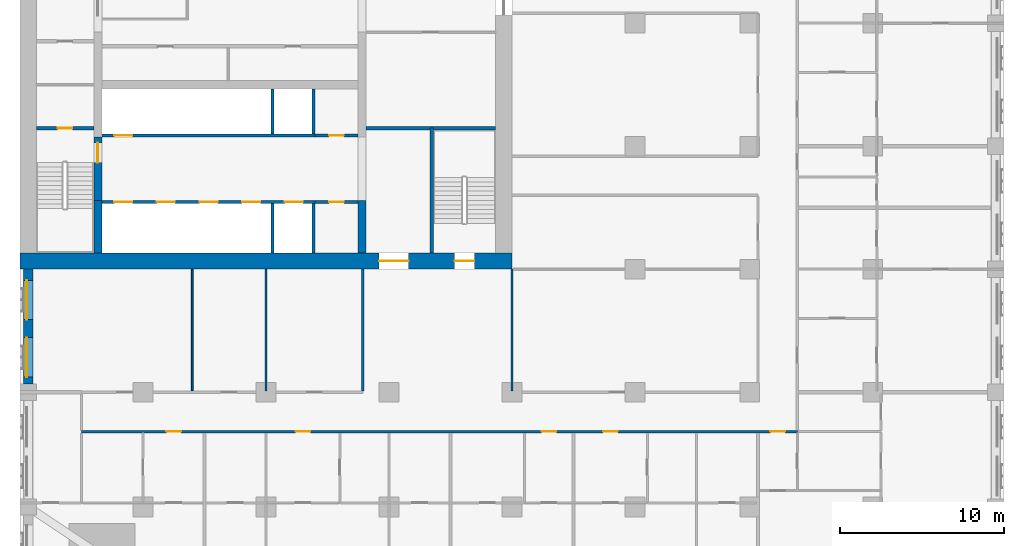
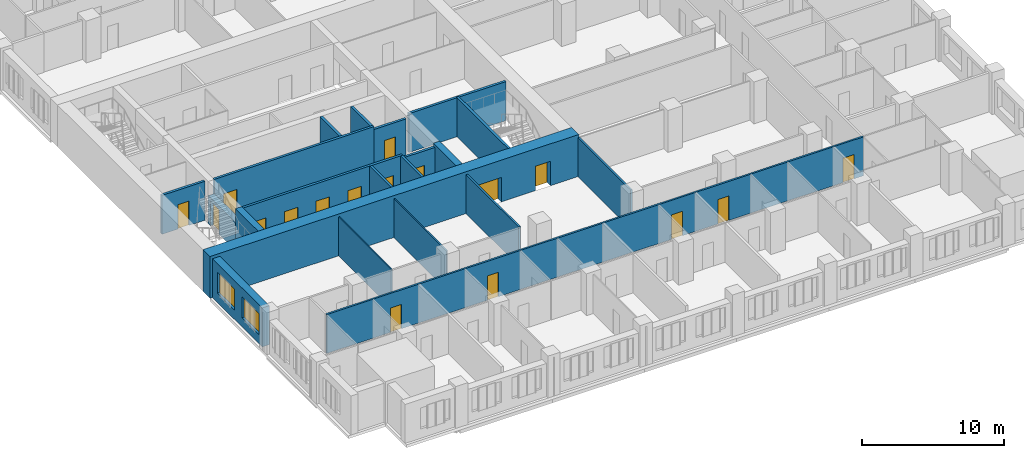
# One storey, part 5 of 14: 21 walls, 17 doors, 2 windows, 19 openings.
"""IFC4 building model written with IfcOpenShell, lengths in metres."""

from ifc_helpers import new_model, si_unit, direction, frame, frame_2d, origin, place, context, subcontext, project, spatial, rectangle, extrude, material, layer, layer_set, type_object, element, fill, save


model = new_model("IFC4")

# Units and contexts
model_context = context("Model", 3, precision=1e-05, world=origin(), true_north=direction((0.0, 1.0)))
body_context = subcontext(model_context, "Body", "Model", "MODEL_VIEW")
ifc_project = project(units=[si_unit("LENGTHUNIT", "METRE"), si_unit("AREAUNIT", "SQUARE_METRE"), si_unit("VOLUMEUNIT", "CUBIC_METRE"), si_unit("PLANEANGLEUNIT", "RADIAN"), si_unit("MASSUNIT", "GRAM", prefix="KILO")], contexts=[model_context])

# Site, building, storey
site_placement = place(None, origin())
site = spatial("IfcSite", under=ifc_project, at=site_placement, CompositionType="ELEMENT")
building_placement = place(site_placement, origin())
building = spatial("IfcBuilding", under=site, at=building_placement, Name="Tamorin Gate", CompositionType="ELEMENT")
storey_placement = place(building_placement, frame((0.0, 0.0, 55.60009765625)))
storey = spatial("IfcBuildingStorey", under=building, at=storey_placement, Name="L12", CompositionType="ELEMENT", Elevation=55.60009765625)

# Wall, openings, windows
ifc_material_1 = material(Name="Precast concrete C40/50", Category="concrete")
ifc_layer_1 = layer(ifc_material_1, 0.60009765625)
ifc_layer_set_1 = layer_set([ifc_layer_1], Name="Precast concrete C40/50")
wall_type_1 = type_object("IfcWallType", Name="Board-marked concrete facade panel 600", PredefinedType="SOLIDWALL", material=ifc_layer_set_1)
wall_1_placement = place(storey_placement, frame((30.5, 60.0, 0.0), z_axis=(0.0, 0.0, 1.0), x_axis=(0.0, -1.0, 0.0)))
wall_1 = element("IfcWall", 1, at=wall_1_placement, inside=storey, type_object=wall_type_1, Name="Facade panel", PredefinedType="SOLIDWALL", context=body_context, shape_type="SweptSolid", body=[
    extrude(rectangle(XDim=7.0, YDim=0.60009765625, at=frame_2d((3.5, 0.0))), origin(), (0.0, 0.0, 1.0), 3.349853515625),
])
opening_1_placement = place(wall_1_placement, frame((4.175048828125, 0.0, 0.800048828125)))
opening_1 = element("IfcOpeningElement", 2, at=opening_1_placement, cuts=wall_1, Name="Opening WN1", PredefinedType="OPENING", context=body_context, shape_type="SweptSolid", body=[
    extrude(rectangle(XDim=2.39990234375, YDim=1.800048828125, at=frame_2d((1.199951171875, 0.89990234375))), frame((0.0, 0.31005859375, 0.0), z_axis=(0.0, -1.0, 0.0), x_axis=(1.0, 0.0, 0.0)), (0.0, 0.0, 1.0), 0.6201171875),
])
opening_2_placement = place(wall_1_placement, frame((0.675048828125, 0.0, 0.800048828125)))
opening_2 = element("IfcOpeningElement", 3, at=opening_2_placement, cuts=wall_1, Name="Opening WN1", PredefinedType="OPENING", context=body_context, shape_type="SweptSolid", body=[
    extrude(rectangle(XDim=2.39990234375, YDim=1.800048828125, at=frame_2d((1.199951171875, 0.89990234375))), frame((0.0, 0.31005859375, 0.0), z_axis=(0.0, -1.0, 0.0), x_axis=(1.0, 0.0, 0.0)), (0.0, 0.0, 1.0), 0.6201171875),
])
ifc_material_2 = material(Name="Clear glass in aluminium frame", Category="aluminium")
window_type = type_object("IfcWindowType", Name="Deep-set window 2400x1800", PartitioningType="SINGLE_PANEL", PredefinedType="WINDOW", material=ifc_material_2)
window_1_placement = place(opening_1_placement, origin())
window_1 = element("IfcWindow", 4, at=window_1_placement, inside=storey, type_object=window_type, Name="Deep-set window", OverallHeight=1.800048828125, OverallWidth=2.39990234375, PartitioningType="SINGLE_PANEL", PredefinedType="WINDOW", context=body_context, shape_type="SweptSolid", body=[
    extrude(rectangle(XDim=2.39990234375, YDim=1.800048828125, at=frame_2d((1.199951171875, 0.89990234375))), frame((0.0, -0.070068359375, 0.0), z_axis=(0.0, -1.0, 0.0), x_axis=(1.0, 0.0, 0.0)), (0.0, 0.0, 1.0), 0.06005859375),
])
fill(opening_1, window_1)
window_2_placement = place(opening_2_placement, origin())
window_2 = element("IfcWindow", 5, at=window_2_placement, inside=storey, type_object=window_type, Name="Deep-set window", OverallHeight=1.800048828125, OverallWidth=2.39990234375, PartitioningType="SINGLE_PANEL", PredefinedType="WINDOW", context=body_context, shape_type="SweptSolid", body=[
    extrude(rectangle(XDim=2.39990234375, YDim=1.800048828125, at=frame_2d((1.199951171875, 0.89990234375))), frame((0.0, -0.070068359375, 0.0), z_axis=(0.0, -1.0, 0.0), x_axis=(1.0, 0.0, 0.0)), (0.0, 0.0, 1.0), 0.06005859375),
])
fill(opening_2, window_2)

# Wall, openings, doors
ifc_material_3 = material(Name="Gypsum board partition")
ifc_layer_2 = layer(ifc_material_3, 0.14990234375)
ifc_layer_set_2 = layer_set([ifc_layer_2], Name="Corridor wall 150")
wall_type_2 = type_object("IfcWallType", Name="Corridor wall 150", PredefinedType="PARTITIONING", material=ifc_layer_set_2)
wall_2_placement = place(storey_placement, frame((33.75, 50.10009765625, 0.0), z_axis=(0.0, 0.0, 1.0), x_axis=(1.0, 0.0, 0.0)))
wall_2 = element("IfcWall", 6, at=wall_2_placement, inside=storey, type_object=wall_type_2, Name="Corridor wall 150", PredefinedType="PARTITIONING", context=body_context, shape_type="SweptSolid", body=[
    extrude(rectangle(XDim=43.64990234375, YDim=0.14990234375, at=frame_2d((21.824951171875, 0.0))), origin(), (0.0, 0.0, 1.0), 3.349853515625),
])
opening_3_placement = place(wall_2_placement, frame((5.175048828125, 0.0, 0.0)))
opening_3 = element("IfcOpeningElement", 7, at=opening_3_placement, cuts=wall_2, Name="Opening DH3003", PredefinedType="OPENING", context=body_context, shape_type="SweptSolid", body=[
    extrude(rectangle(XDim=0.89990234375, YDim=2.10009765625, at=frame_2d((0.449951171875, 1.050048828125))), frame((0.0, 0.0849609375, 0.0), z_axis=(0.0, -1.0, 0.0), x_axis=(1.0, 0.0, 0.0)), (0.0, 0.0, 1.0), 0.169921875),
])
opening_4_placement = place(wall_2_placement, frame((13.050048828125, 0.0, 0.0)))
opening_4 = element("IfcOpeningElement", 8, at=opening_4_placement, cuts=wall_2, Name="Opening DH3006", PredefinedType="OPENING", context=body_context, shape_type="SweptSolid", body=[
    extrude(rectangle(XDim=0.89990234375, YDim=2.10009765625, at=frame_2d((0.449951171875, 1.050048828125))), frame((0.0, 0.0849609375, 0.0), z_axis=(0.0, -1.0, 0.0), x_axis=(1.0, 0.0, 0.0)), (0.0, 0.0, 1.0), 0.169921875),
])
opening_5_placement = place(wall_2_placement, frame((28.050048828125, 0.0, 0.0)))
opening_5 = element("IfcOpeningElement", 9, at=opening_5_placement, cuts=wall_2, Name="Opening DH3013", PredefinedType="OPENING", context=body_context, shape_type="SweptSolid", body=[
    extrude(rectangle(XDim=0.89990234375, YDim=2.10009765625, at=frame_2d((0.449951171875, 1.050048828125))), frame((0.0, 0.0849609375, 0.0), z_axis=(0.0, -1.0, 0.0), x_axis=(1.0, 0.0, 0.0)), (0.0, 0.0, 1.0), 0.169921875),
])
opening_6_placement = place(wall_2_placement, frame((31.800048828125, 0.0, 0.0)))
opening_6 = element("IfcOpeningElement", 10, at=opening_6_placement, cuts=wall_2, Name="Opening DH3015", PredefinedType="OPENING", context=body_context, shape_type="SweptSolid", body=[
    extrude(rectangle(XDim=0.89990234375, YDim=2.10009765625, at=frame_2d((0.449951171875, 1.050048828125))), frame((0.0, 0.0849609375, 0.0), z_axis=(0.0, -1.0, 0.0), x_axis=(1.0, 0.0, 0.0)), (0.0, 0.0, 1.0), 0.169921875),
])
opening_7_placement = place(wall_2_placement, frame((42.0, 0.0, 0.0)))
opening_7 = element("IfcOpeningElement", 11, at=opening_7_placement, cuts=wall_2, Name="Opening DH3061", PredefinedType="OPENING", context=body_context, shape_type="SweptSolid", body=[
    extrude(rectangle(XDim=0.89990234375, YDim=2.10009765625, at=frame_2d((0.449951171875, 1.050048828125))), frame((0.0, 0.0849609375, 0.0), z_axis=(0.0, -1.0, 0.0), x_axis=(1.0, 0.0, 0.0)), (0.0, 0.0, 1.0), 0.169921875),
])
ifc_material_4 = material(Name="Timber door leaf", Category="wood")
door_type_1 = type_object("IfcDoorType", Name="Door 900 x 2100 FD30S", OperationType="NOTDEFINED", PredefinedType="DOOR", material=ifc_material_4)
door_1_placement = place(opening_3_placement, origin())
door_1 = element("IfcDoor", 12, at=door_1_placement, inside=storey, type_object=door_type_1, Name="Door DH3003", OperationType="SINGLE_SWING_RIGHT", OverallHeight=2.10009765625, OverallWidth=0.89990234375, PredefinedType="DOOR", context=body_context, shape_type="SweptSolid", body=[
    extrude(rectangle(XDim=0.89990234375, YDim=2.10009765625, at=frame_2d((0.449951171875, 1.050048828125))), frame((0.0, 0.02490234375, 0.0), z_axis=(0.0, -1.0, 0.0), x_axis=(1.0, 0.0, 0.0)), (0.0, 0.0, 1.0), 0.050048828125),
])
fill(opening_3, door_1)
door_2_placement = place(opening_4_placement, origin())
door_2 = element("IfcDoor", 13, at=door_2_placement, inside=storey, type_object=door_type_1, Name="Door DH3006", OperationType="SINGLE_SWING_RIGHT", OverallHeight=2.10009765625, OverallWidth=0.89990234375, PredefinedType="DOOR", context=body_context, shape_type="SweptSolid", body=[
    extrude(rectangle(XDim=0.89990234375, YDim=2.10009765625, at=frame_2d((0.449951171875, 1.050048828125))), frame((0.0, 0.02490234375, 0.0), z_axis=(0.0, -1.0, 0.0), x_axis=(1.0, 0.0, 0.0)), (0.0, 0.0, 1.0), 0.050048828125),
])
fill(opening_4, door_2)
door_3_placement = place(opening_5_placement, origin())
door_3 = element("IfcDoor", 14, at=door_3_placement, inside=storey, type_object=door_type_1, Name="Door DH3013", OperationType="SINGLE_SWING_RIGHT", OverallHeight=2.10009765625, OverallWidth=0.89990234375, PredefinedType="DOOR", context=body_context, shape_type="SweptSolid", body=[
    extrude(rectangle(XDim=0.89990234375, YDim=2.10009765625, at=frame_2d((0.449951171875, 1.050048828125))), frame((0.0, 0.02490234375, 0.0), z_axis=(0.0, -1.0, 0.0), x_axis=(1.0, 0.0, 0.0)), (0.0, 0.0, 1.0), 0.050048828125),
])
fill(opening_5, door_3)
door_4_placement = place(opening_6_placement, origin())
door_4 = element("IfcDoor", 15, at=door_4_placement, inside=storey, type_object=door_type_1, Name="Door DH3015", OperationType="SINGLE_SWING_RIGHT", OverallHeight=2.10009765625, OverallWidth=0.89990234375, PredefinedType="DOOR", context=body_context, shape_type="SweptSolid", body=[
    extrude(rectangle(XDim=0.89990234375, YDim=2.10009765625, at=frame_2d((0.449951171875, 1.050048828125))), frame((0.0, 0.02490234375, 0.0), z_axis=(0.0, -1.0, 0.0), x_axis=(1.0, 0.0, 0.0)), (0.0, 0.0, 1.0), 0.050048828125),
])
fill(opening_6, door_4)
door_5_placement = place(opening_7_placement, origin())
door_5 = element("IfcDoor", 16, at=door_5_placement, inside=storey, type_object=door_type_1, Name="Door DH3061", OperationType="SINGLE_SWING_LEFT", OverallHeight=2.10009765625, OverallWidth=0.89990234375, PredefinedType="DOOR", context=body_context, shape_type="SweptSolid", body=[
    extrude(rectangle(XDim=0.89990234375, YDim=2.10009765625, at=frame_2d((0.449951171875, 1.050048828125))), frame((0.0, 0.02490234375, 0.0), z_axis=(0.0, -1.0, 0.0), x_axis=(1.0, 0.0, 0.0)), (0.0, 0.0, 1.0), 0.050048828125),
])
fill(opening_7, door_5)

ifc_material_5 = material(Name="Concrete C32/40", Category="concrete")
ifc_layer_3 = layer(ifc_material_5, 0.199951171875)
ifc_layer_set_3 = layer_set([ifc_layer_3], Name="Lift lobby face wall 200 EI 120")
wall_type_3 = type_object("IfcWallType", Name="Lift lobby face wall 200 EI 120", PredefinedType="SOLIDWALL", material=ifc_layer_set_3)
wall_3_placement = place(storey_placement, frame((35.0, 64.10009765625, 0.0), z_axis=(0.0, 0.0, 1.0), x_axis=(1.0, 0.0, 0.0)))
wall_3 = element("IfcWall", 17, at=wall_3_placement, inside=storey, type_object=wall_type_3, Name="Lift lobby face wall", PredefinedType="SOLIDWALL", context=body_context, shape_type="SweptSolid", body=[
    extrude(rectangle(XDim=13.0, YDim=0.199951171875, at=frame_2d((6.5, 0.0))), origin(), (0.0, 0.0, 1.0), 3.599853515625),
])
opening_8_placement = place(wall_3_placement, frame((0.75, 0.0, 0.0)))
opening_8 = element("IfcOpeningElement", 18, at=opening_8_placement, cuts=wall_3, Name="Opening LD1", PredefinedType="OPENING", context=body_context, shape_type="SweptSolid", body=[
    extrude(rectangle(XDim=1.10009765625, YDim=2.10009765625, at=frame_2d((0.550048828125, 1.050048828125))), frame((0.0, 0.10986328125, 0.0), z_axis=(0.0, -1.0, 0.0), x_axis=(1.0, 0.0, 0.0)), (0.0, 0.0, 1.0), 0.219970703125),
])
opening_9_placement = place(wall_3_placement, frame((3.35009765625, 0.0, 0.0)))
opening_9 = element("IfcOpeningElement", 19, at=opening_9_placement, cuts=wall_3, Name="Opening LD2", PredefinedType="OPENING", context=body_context, shape_type="SweptSolid", body=[
    extrude(rectangle(XDim=1.10009765625, YDim=2.10009765625, at=frame_2d((0.550048828125, 1.050048828125))), frame((0.0, 0.10986328125, 0.0), z_axis=(0.0, -1.0, 0.0), x_axis=(1.0, 0.0, 0.0)), (0.0, 0.0, 1.0), 0.219970703125),
])
opening_10_placement = place(wall_3_placement, frame((5.949951171875, 0.0, 0.0)))
opening_10 = element("IfcOpeningElement", 20, at=opening_10_placement, cuts=wall_3, Name="Opening LD3", PredefinedType="OPENING", context=body_context, shape_type="SweptSolid", body=[
    extrude(rectangle(XDim=1.10009765625, YDim=2.10009765625, at=frame_2d((0.550048828125, 1.050048828125))), frame((0.0, 0.10986328125, 0.0), z_axis=(0.0, -1.0, 0.0), x_axis=(1.0, 0.0, 0.0)), (0.0, 0.0, 1.0), 0.219970703125),
])
opening_11_placement = place(wall_3_placement, frame((8.550048828125, 0.0, 0.0)))
opening_11 = element("IfcOpeningElement", 21, at=opening_11_placement, cuts=wall_3, Name="Opening LD4", PredefinedType="OPENING", context=body_context, shape_type="SweptSolid", body=[
    extrude(rectangle(XDim=1.10009765625, YDim=2.10009765625, at=frame_2d((0.550048828125, 1.050048828125))), frame((0.0, 0.10986328125, 0.0), z_axis=(0.0, -1.0, 0.0), x_axis=(1.0, 0.0, 0.0)), (0.0, 0.0, 1.0), 0.219970703125),
])
opening_12_placement = place(wall_3_placement, frame((11.14990234375, 0.0, 0.0)))
opening_12 = element("IfcOpeningElement", 22, at=opening_12_placement, cuts=wall_3, Name="Opening LD5", PredefinedType="OPENING", context=body_context, shape_type="SweptSolid", body=[
    extrude(rectangle(XDim=1.10009765625, YDim=2.10009765625, at=frame_2d((0.550048828125, 1.050048828125))), frame((0.0, 0.10986328125, 0.0), z_axis=(0.0, -1.0, 0.0), x_axis=(1.0, 0.0, 0.0)), (0.0, 0.0, 1.0), 0.219970703125),
])
ifc_material_6 = material(Name="Stainless steel sliding door", Category="steel")
door_type_2 = type_object("IfcDoorType", Name="Lift landing door 1100 x 2100 E 90", OperationType="DOUBLE_DOOR_SLIDING", PredefinedType="DOOR", material=ifc_material_6)
door_6_placement = place(opening_8_placement, origin())
door_6 = element("IfcDoor", 23, at=door_6_placement, inside=storey, type_object=door_type_2, Name="LR1 landing door", OperationType="DOUBLE_DOOR_SLIDING", OverallHeight=2.10009765625, OverallWidth=1.10009765625, PredefinedType="DOOR", context=body_context, shape_type="SweptSolid", body=[
    extrude(rectangle(XDim=1.10009765625, YDim=2.10009765625, at=frame_2d((0.550048828125, 1.050048828125))), frame((0.0, 0.02490234375, 0.0), z_axis=(0.0, -1.0, 0.0), x_axis=(1.0, 0.0, 0.0)), (0.0, 0.0, 1.0), 0.050048828125),
])
fill(opening_8, door_6)
door_7_placement = place(opening_9_placement, origin())
door_7 = element("IfcDoor", 24, at=door_7_placement, inside=storey, type_object=door_type_2, Name="LR2 landing door", OperationType="DOUBLE_DOOR_SLIDING", OverallHeight=2.10009765625, OverallWidth=1.10009765625, PredefinedType="DOOR", context=body_context, shape_type="SweptSolid", body=[
    extrude(rectangle(XDim=1.10009765625, YDim=2.10009765625, at=frame_2d((0.550048828125, 1.050048828125))), frame((0.0, 0.02490234375, 0.0), z_axis=(0.0, -1.0, 0.0), x_axis=(1.0, 0.0, 0.0)), (0.0, 0.0, 1.0), 0.050048828125),
])
fill(opening_9, door_7)
door_8_placement = place(opening_10_placement, origin())
door_8 = element("IfcDoor", 25, at=door_8_placement, inside=storey, type_object=door_type_2, Name="LR3 landing door", OperationType="DOUBLE_DOOR_SLIDING", OverallHeight=2.10009765625, OverallWidth=1.10009765625, PredefinedType="DOOR", context=body_context, shape_type="SweptSolid", body=[
    extrude(rectangle(XDim=1.10009765625, YDim=2.10009765625, at=frame_2d((0.550048828125, 1.050048828125))), frame((0.0, 0.02490234375, 0.0), z_axis=(0.0, -1.0, 0.0), x_axis=(1.0, 0.0, 0.0)), (0.0, 0.0, 1.0), 0.050048828125),
])
fill(opening_10, door_8)
door_9_placement = place(opening_11_placement, origin())
door_9 = element("IfcDoor", 26, at=door_9_placement, inside=storey, type_object=door_type_2, Name="LR4 landing door", OperationType="DOUBLE_DOOR_SLIDING", OverallHeight=2.10009765625, OverallWidth=1.10009765625, PredefinedType="DOOR", context=body_context, shape_type="SweptSolid", body=[
    extrude(rectangle(XDim=1.10009765625, YDim=2.10009765625, at=frame_2d((0.550048828125, 1.050048828125))), frame((0.0, 0.02490234375, 0.0), z_axis=(0.0, -1.0, 0.0), x_axis=(1.0, 0.0, 0.0)), (0.0, 0.0, 1.0), 0.050048828125),
])
fill(opening_11, door_9)
door_10_placement = place(opening_12_placement, origin())
door_10 = element("IfcDoor", 27, at=door_10_placement, inside=storey, type_object=door_type_2, Name="LR5 landing door", OperationType="DOUBLE_DOOR_SLIDING", OverallHeight=2.10009765625, OverallWidth=1.10009765625, PredefinedType="DOOR", context=body_context, shape_type="SweptSolid", body=[
    extrude(rectangle(XDim=1.10009765625, YDim=2.10009765625, at=frame_2d((0.550048828125, 1.050048828125))), frame((0.0, 0.02490234375, 0.0), z_axis=(0.0, -1.0, 0.0), x_axis=(1.0, 0.0, 0.0)), (0.0, 0.0, 1.0), 0.050048828125),
])
fill(opening_12, door_10)

# Wall, opening, door
wall_4_placement = place(storey_placement, frame((35.0, 68.14990234375, 0.0), z_axis=(0.0, 0.0, 1.0), x_axis=(1.0, 0.0, 0.0)))
wall_4 = element("IfcWall", 28, at=wall_4_placement, inside=storey, type_object=wall_type_3, Name="Lift lobby face wall", PredefinedType="SOLIDWALL", context=body_context, shape_type="SweptSolid", body=[
    extrude(rectangle(XDim=13.0, YDim=0.199951171875, at=frame_2d((6.5, 0.0))), origin(), (0.0, 0.0, 1.0), 3.599853515625),
])
opening_13_placement = place(wall_4_placement, frame((0.75, 0.0, 0.0)))
opening_13 = element("IfcOpeningElement", 29, at=opening_13_placement, cuts=wall_4, Name="Opening LD6", PredefinedType="OPENING", context=body_context, shape_type="SweptSolid", body=[
    extrude(rectangle(XDim=1.10009765625, YDim=2.10009765625, at=frame_2d((0.550048828125, 1.050048828125))), frame((0.0, 0.10986328125, 0.0), z_axis=(0.0, -1.0, 0.0), x_axis=(1.0, 0.0, 0.0)), (0.0, 0.0, 1.0), 0.219970703125),
])
door_11_placement = place(opening_13_placement, origin())
door_11 = element("IfcDoor", 30, at=door_11_placement, inside=storey, type_object=door_type_2, Name="LR6 landing door", OperationType="DOUBLE_DOOR_SLIDING", OverallHeight=2.10009765625, OverallWidth=1.10009765625, PredefinedType="DOOR", context=body_context, shape_type="SweptSolid", body=[
    extrude(rectangle(XDim=1.10009765625, YDim=2.10009765625, at=frame_2d((0.550048828125, 1.050048828125))), frame((0.0, 0.02490234375, 0.0), z_axis=(0.0, -1.0, 0.0), x_axis=(1.0, 0.0, 0.0)), (0.0, 0.0, 1.0), 0.050048828125),
])
fill(opening_13, door_11)

# Walls
ifc_layer_4 = layer(ifc_material_5, 0.199951171875)
ifc_layer_set_4 = layer_set([ifc_layer_4], Name="Lift shaft wall 200 EI 120")
wall_type_4 = type_object("IfcWallType", Name="Lift shaft wall 200 EI 120", PredefinedType="SOLIDWALL", material=ifc_layer_set_4)
for number, where, z_axis, x_axis, name in (
    (31, (45.39990234375, 61.0, 0.0), (0.0, 0.0, 1.0), (0.0, 1.0, 0.0), "Lift shaft wall"),
    (32, (47.89990234375, 61.0, 0.0), (0.0, 0.0, 1.0), (0.0, 1.0, 0.0), "Lift shaft wall"),
):
    element("IfcWall", number, at=place(storey_placement, frame(where, z_axis=z_axis, x_axis=x_axis)), inside=storey, type_object=wall_type_4, Name=name, PredefinedType="SOLIDWALL", context=body_context, shape_type="SweptSolid", body=[
        extrude(rectangle(XDim=3.0, YDim=0.199951171875, at=frame_2d((1.5, 0.0))), origin(), (0.0, 0.0, 1.0), 3.599853515625),
    ])
for number, where, z_axis, x_axis, name in (
    (33, (45.39990234375, 68.25, 0.0), (0.0, 0.0, 1.0), (0.0, 1.0, 0.0), "Lift shaft wall"),
    (34, (47.89990234375, 68.25, 0.0), (0.0, 0.0, 1.0), (0.0, 1.0, 0.0), "Lift shaft wall"),
):
    element("IfcWall", number, at=place(storey_placement, frame(where, z_axis=z_axis, x_axis=x_axis)), inside=storey, type_object=wall_type_4, Name=name, PredefinedType="SOLIDWALL", context=body_context, shape_type="SweptSolid", body=[
        extrude(rectangle(XDim=2.75, YDim=0.199951171875, at=frame_2d((1.375, 0.0))), origin(), (0.0, 0.0, 1.0), 3.599853515625),
    ])
ifc_layer_5 = layer(ifc_material_3, 0.14990234375)
ifc_layer_set_5 = layer_set([ifc_layer_5], Name="Lobby wall 150")
wall_type_5 = type_object("IfcWallType", Name="Lobby wall 150", PredefinedType="PARTITIONING", material=ifc_layer_set_5)
for number, where, z_axis, x_axis, name in (
    (35, (50.89990234375, 52.574951171875, 0.0), (0.0, 0.0, 1.0), (0.0, 1.0, 0.0), "Lobby wall 150"),
    (36, (60.0, 52.574951171875, 0.0), (0.0, 0.0, 1.0), (0.0, 1.0, 0.0), "Lobby wall 150"),
):
    element("IfcWall", number, at=place(storey_placement, frame(where, z_axis=z_axis, x_axis=x_axis)), inside=storey, type_object=wall_type_5, Name=name, PredefinedType="PARTITIONING", context=body_context, shape_type="SweptSolid", body=[
        extrude(rectangle(XDim=7.425048828125, YDim=0.14990234375, at=frame_2d((3.71240234375, 0.0))), origin(), (0.0, 0.0, 1.0), 3.349853515625),
    ])
ifc_material_7 = material(Name="Concrete C80/95", Category="concrete")
ifc_layer_6 = layer(ifc_material_7, 0.5)
ifc_layer_set_6 = layer_set([ifc_layer_6], Name="RC core internal wall 500 C80/95")
wall_type_6 = type_object("IfcWallType", Name="RC core internal wall 500 C80/95", PredefinedType="SHEAR", material=ifc_layer_set_6)
for number, where, z_axis, x_axis, name in (
    (37, (34.75, 61.0, 0.0), (0.0, 0.0, 1.0), (0.0, 1.0, 0.0), "Core cross wall L12"),
    (38, (50.85009765625, 61.0, 0.0), (0.0, 0.0, 1.0), (0.0, 1.0, 0.0), "Core cross wall L12"),
):
    element("IfcWall", number, at=place(storey_placement, frame(where, z_axis=z_axis, x_axis=x_axis)), inside=storey, type_object=wall_type_6, Name=name, PredefinedType="SHEAR", context=body_context, shape_type="SweptSolid", body=[
        extrude(rectangle(XDim=3.199951171875, YDim=0.5, at=frame_2d((1.60009765625, 0.0))), origin(), (0.0, 0.0, 1.0), 3.599853515625),
    ])

# Wall, openings, doors
ifc_layer_7 = layer(ifc_material_7, 1.0)
ifc_layer_set_7 = layer_set([ifc_layer_7], Name="RC core wall 1000 C80/95")
wall_type_7 = type_object("IfcWallType", Name="RC core wall 1000 C80/95", PredefinedType="SHEAR", material=ifc_layer_set_7)
wall_5_placement = place(storey_placement, frame((30.0, 60.5, 0.0), z_axis=(0.0, 0.0, 1.0), x_axis=(1.0, 0.0, 0.0)))
wall_5 = element("IfcWall", 39, at=wall_5_placement, inside=storey, type_object=wall_type_7, Name="Core wall L12", PredefinedType="SHEAR", context=body_context, shape_type="SweptSolid", body=[
    extrude(rectangle(XDim=30.0, YDim=1.0, at=frame_2d((15.0, 0.0))), origin(), (0.0, 0.0, 1.0), 3.599853515625),
])
opening_14_placement = place(wall_5_placement, frame((21.89990234375, 0.0, 0.0)))
opening_14 = element("IfcOpeningElement", 40, at=opening_14_placement, cuts=wall_5, Name="Opening DE1", PredefinedType="OPENING", context=body_context, shape_type="SweptSolid", body=[
    extrude(rectangle(XDim=1.800048828125, YDim=2.10009765625, at=frame_2d((0.89990234375, 1.050048828125))), frame((0.0, 0.510009765625, 0.0), z_axis=(0.0, -1.0, 0.0), x_axis=(1.0, 0.0, 0.0)), (0.0, 0.0, 1.0), 1.02001953125),
])
opening_15_placement = place(wall_5_placement, frame((26.5, 0.0, 0.0)))
opening_15 = element("IfcOpeningElement", 41, at=opening_15_placement, cuts=wall_5, Name="Opening DS1", PredefinedType="OPENING", context=body_context, shape_type="SweptSolid", body=[
    extrude(rectangle(XDim=1.199951171875, YDim=2.10009765625, at=frame_2d((0.60009765625, 1.050048828125))), frame((0.0, 0.510009765625, 0.0), z_axis=(0.0, -1.0, 0.0), x_axis=(1.0, 0.0, 0.0)), (0.0, 0.0, 1.0), 1.02001953125),
])
ifc_material_8 = material(Name="Steel fire door", Category="steel")
door_type_3 = type_object("IfcDoorType", Name="Lobby exit double door 1800 x 2100 EI 60", OperationType="DOUBLE_DOOR_SINGLE_SWING", PredefinedType="DOOR", material=ifc_material_8)
door_12_placement = place(opening_14_placement, origin())
door_12 = element("IfcDoor", 42, at=door_12_placement, inside=storey, type_object=door_type_3, Name="Lift lobby A exit door", OperationType="DOUBLE_DOOR_SINGLE_SWING", OverallHeight=2.10009765625, OverallWidth=1.800048828125, PredefinedType="DOOR", context=body_context, shape_type="SweptSolid", body=[
    extrude(rectangle(XDim=1.800048828125, YDim=2.10009765625, at=frame_2d((0.89990234375, 1.050048828125))), frame((0.0, 0.02490234375, 0.0), z_axis=(0.0, -1.0, 0.0), x_axis=(1.0, 0.0, 0.0)), (0.0, 0.0, 1.0), 0.050048828125),
])
fill(opening_14, door_12)
door_type_4 = type_object("IfcDoorType", Name="Stair door 1200 x 2100 EI 90", OperationType="SINGLE_SWING_LEFT", PredefinedType="DOOR", material=ifc_material_8)
door_13_placement = place(opening_15_placement, origin())
door_13 = element("IfcDoor", 43, at=door_13_placement, inside=storey, type_object=door_type_4, Name="ST3 door", OperationType="SINGLE_SWING_LEFT", OverallHeight=2.10009765625, OverallWidth=1.199951171875, PredefinedType="DOOR", context=body_context, shape_type="SweptSolid", body=[
    extrude(rectangle(XDim=1.199951171875, YDim=2.10009765625, at=frame_2d((0.60009765625, 1.050048828125))), frame((0.0, 0.02490234375, 0.0), z_axis=(0.0, -1.0, 0.0), x_axis=(1.0, 0.0, 0.0)), (0.0, 0.0, 1.0), 0.050048828125),
])
fill(opening_15, door_13)

# Walls
ifc_layer_8 = layer(ifc_material_3, 0.10009765625)
ifc_layer_set_8 = layer_set([ifc_layer_8], Name="Room partition 100")
wall_type_8 = type_object("IfcWallType", Name="Room partition 100", PredefinedType="PARTITIONING", material=ifc_layer_set_8)
for number, where, z_axis, x_axis, name in (
    (44, (40.5, 52.574951171875, 0.0), (0.0, 0.0, 1.0), (0.0, 1.0, 0.0), "Room partition 100"),
    (45, (45.0, 52.574951171875, 0.0), (0.0, 0.0, 1.0), (0.0, 1.0, 0.0), "Room partition 100"),
):
    element("IfcWall", number, at=place(storey_placement, frame(where, z_axis=z_axis, x_axis=x_axis)), inside=storey, type_object=wall_type_8, Name=name, PredefinedType="PARTITIONING", context=body_context, shape_type="SweptSolid", body=[
        extrude(rectangle(XDim=7.425048828125, YDim=0.10009765625, at=frame_2d((3.71240234375, 0.0))), origin(), (0.0, 0.0, 1.0), 3.349853515625),
    ])

# Wall, opening, door
ifc_layer_9 = layer(ifc_material_3, 0.199951171875)
ifc_layer_set_9 = layer_set([ifc_layer_9], Name="Service room face wall 200 EI 60")
wall_type_9 = type_object("IfcWallType", Name="Service room face wall 200 EI 60", PredefinedType="PARTITIONING", material=ifc_layer_set_9)
wall_6_placement = place(storey_placement, frame((48.0, 64.10009765625, 0.0), z_axis=(0.0, 0.0, 1.0), x_axis=(1.0, 0.0, 0.0)))
wall_6 = element("IfcWall", 46, at=wall_6_placement, inside=storey, type_object=wall_type_9, Name="Service room face wall", PredefinedType="PARTITIONING", context=body_context, shape_type="SweptSolid", body=[
    extrude(rectangle(XDim=2.60009765625, YDim=0.199951171875, at=frame_2d((1.300048828125, 0.0))), origin(), (0.0, 0.0, 1.0), 3.349853515625),
])
opening_16_placement = place(wall_6_placement, frame((0.85009765625, 0.0, 0.0)))
opening_16 = element("IfcOpeningElement", 47, at=opening_16_placement, cuts=wall_6, Name="Opening DK1", PredefinedType="OPENING", context=body_context, shape_type="SweptSolid", body=[
    extrude(rectangle(XDim=0.89990234375, YDim=2.10009765625, at=frame_2d((0.449951171875, 1.050048828125))), frame((0.0, 0.10986328125, 0.0), z_axis=(0.0, -1.0, 0.0), x_axis=(1.0, 0.0, 0.0)), (0.0, 0.0, 1.0), 0.219970703125),
])
ifc_material_9 = material(Name="Timber fire door", Category="wood")
door_type_5 = type_object("IfcDoorType", Name="Service room door 900 x 2100 EI 60", OperationType="SINGLE_SWING_LEFT", PredefinedType="DOOR", material=ifc_material_9)
door_14_placement = place(opening_16_placement, origin())
door_14 = element("IfcDoor", 48, at=door_14_placement, inside=storey, type_object=door_type_5, Name="Door Laundry store", OperationType="SINGLE_SWING_RIGHT", OverallHeight=2.10009765625, OverallWidth=0.89990234375, PredefinedType="DOOR", context=body_context, shape_type="SweptSolid", body=[
    extrude(rectangle(XDim=0.89990234375, YDim=2.10009765625, at=frame_2d((0.449951171875, 1.050048828125))), frame((0.0, 0.02490234375, 0.0), z_axis=(0.0, -1.0, 0.0), x_axis=(1.0, 0.0, 0.0)), (0.0, 0.0, 1.0), 0.050048828125),
])
fill(opening_16, door_14)

wall_7_placement = place(storey_placement, frame((48.0, 68.14990234375, 0.0), z_axis=(0.0, 0.0, 1.0), x_axis=(1.0, 0.0, 0.0)))
wall_7 = element("IfcWall", 49, at=wall_7_placement, inside=storey, type_object=wall_type_9, Name="Service room face wall", PredefinedType="PARTITIONING", context=body_context, shape_type="SweptSolid", body=[
    extrude(rectangle(XDim=2.60009765625, YDim=0.199951171875, at=frame_2d((1.300048828125, 0.0))), origin(), (0.0, 0.0, 1.0), 3.349853515625),
])
opening_17_placement = place(wall_7_placement, frame((0.85009765625, 0.0, 0.0)))
opening_17 = element("IfcOpeningElement", 50, at=opening_17_placement, cuts=wall_7, Name="Opening DK1", PredefinedType="OPENING", context=body_context, shape_type="SweptSolid", body=[
    extrude(rectangle(XDim=0.89990234375, YDim=2.10009765625, at=frame_2d((0.449951171875, 1.050048828125))), frame((0.0, 0.10986328125, 0.0), z_axis=(0.0, -1.0, 0.0), x_axis=(1.0, 0.0, 0.0)), (0.0, 0.0, 1.0), 0.219970703125),
])
door_15_placement = place(opening_17_placement, origin())
door_15 = element("IfcDoor", 51, at=door_15_placement, inside=storey, type_object=door_type_5, Name="Door Luggage store", OperationType="SINGLE_SWING_RIGHT", OverallHeight=2.10009765625, OverallWidth=0.89990234375, PredefinedType="DOOR", context=body_context, shape_type="SweptSolid", body=[
    extrude(rectangle(XDim=0.89990234375, YDim=2.10009765625, at=frame_2d((0.449951171875, 1.050048828125))), frame((0.0, 0.02490234375, 0.0), z_axis=(0.0, -1.0, 0.0), x_axis=(1.0, 0.0, 0.0)), (0.0, 0.0, 1.0), 0.050048828125),
])
fill(opening_17, door_15)

ifc_material_10 = material(Name="Concrete C40/50", Category="concrete")
ifc_layer_10 = layer(ifc_material_10, 0.199951171875)
ifc_layer_set_10 = layer_set([ifc_layer_10], Name="Stair enclosure wall 200 EI 120 C40/50")
wall_type_10 = type_object("IfcWallType", Name="Stair enclosure wall 200 EI 120 C40/50", PredefinedType="SOLIDWALL", material=ifc_layer_set_10)
wall_8_placement = place(storey_placement, frame((31.0, 68.60009765625, 0.0), z_axis=(0.0, 0.0, 1.0), x_axis=(1.0, 0.0, 0.0)))
wall_8 = element("IfcWall", 52, at=wall_8_placement, inside=storey, type_object=wall_type_10, Name="Stair enclosure wall", PredefinedType="SOLIDWALL", context=body_context, shape_type="SweptSolid", body=[
    extrude(rectangle(XDim=3.5, YDim=0.199951171875, at=frame_2d((1.75, 0.0))), origin(), (0.0, 0.0, 1.0), 3.349853515625),
])
opening_18_placement = place(wall_8_placement, frame((1.300048828125, 0.0, 0.0)))
opening_18 = element("IfcOpeningElement", 53, at=opening_18_placement, cuts=wall_8, Name="Opening DR1", PredefinedType="OPENING", context=body_context, shape_type="SweptSolid", body=[
    extrude(rectangle(XDim=0.89990234375, YDim=2.10009765625, at=frame_2d((0.449951171875, 1.050048828125))), frame((0.0, 0.10986328125, 0.0), z_axis=(0.0, -1.0, 0.0), x_axis=(1.0, 0.0, 0.0)), (0.0, 0.0, 1.0), 0.219970703125),
])
door_type_6 = type_object("IfcDoorType", Name="Riser access door 900 x 2100 EI 120", OperationType="SINGLE_SWING_LEFT", PredefinedType="DOOR", material=ifc_material_8)
door_16_placement = place(opening_18_placement, origin())
door_16 = element("IfcDoor", 54, at=door_16_placement, inside=storey, type_object=door_type_6, Name="Electrical riser door", OperationType="SINGLE_SWING_LEFT", OverallHeight=2.10009765625, OverallWidth=0.89990234375, PredefinedType="DOOR", context=body_context, shape_type="SweptSolid", body=[
    extrude(rectangle(XDim=0.89990234375, YDim=2.10009765625, at=frame_2d((0.449951171875, 1.050048828125))), frame((0.0, 0.02490234375, 0.0), z_axis=(0.0, -1.0, 0.0), x_axis=(1.0, 0.0, 0.0)), (0.0, 0.0, 1.0), 0.050048828125),
])
fill(opening_18, door_16)

# Walls
wall_9_placement = place(storey_placement, frame((55.10009765625, 61.0, 0.0), z_axis=(0.0, 0.0, 1.0), x_axis=(0.0, 1.0, 0.0)))
element("IfcWall", 55, at=wall_9_placement, inside=storey, type_object=wall_type_10, Name="Stair enclosure wall", PredefinedType="SOLIDWALL", context=body_context, shape_type="SweptSolid", body=[
    extrude(rectangle(XDim=7.60009765625, YDim=0.199951171875, at=frame_2d((3.800048828125, 0.0))), origin(), (0.0, 0.0, 1.0), 3.349853515625),
])
wall_10_placement = place(storey_placement, frame((51.10009765625, 68.60009765625, 0.0), z_axis=(0.0, 0.0, 1.0), x_axis=(1.0, 0.0, 0.0)))
element("IfcWall", 56, at=wall_10_placement, inside=storey, type_object=wall_type_10, Name="Stair enclosure wall", PredefinedType="SOLIDWALL", context=body_context, shape_type="SweptSolid", body=[
    extrude(rectangle(XDim=7.89990234375, YDim=0.199951171875, at=frame_2d((3.949951171875, 0.0))), origin(), (0.0, 0.0, 1.0), 3.349853515625),
])

# Wall, opening, door
ifc_layer_11 = layer(ifc_material_5, 0.5)
ifc_layer_set_11 = layer_set([ifc_layer_11], Name="Stair lobby infill wall 500 EI 120")
wall_type_11 = type_object("IfcWallType", Name="Stair lobby infill wall 500 EI 120", PredefinedType="SOLIDWALL", material=ifc_layer_set_11)
wall_11_placement = place(storey_placement, frame((34.75, 64.199951171875, 0.0), z_axis=(0.0, 0.0, 1.0), x_axis=(0.0, 1.0, 0.0)))
wall_11 = element("IfcWall", 57, at=wall_11_placement, inside=storey, type_object=wall_type_11, Name="Stair lobby infill wall", PredefinedType="SOLIDWALL", context=body_context, shape_type="SweptSolid", body=[
    extrude(rectangle(XDim=3.85009765625, YDim=0.5, at=frame_2d((1.925048828125, 0.0))), origin(), (0.0, 0.0, 1.0), 2.39990234375),
])
opening_19_placement = place(wall_11_placement, frame((2.300048828125, 0.0, 0.0)))
opening_19 = element("IfcOpeningElement", 58, at=opening_19_placement, cuts=wall_11, Name="Opening DS1", PredefinedType="OPENING", context=body_context, shape_type="SweptSolid", body=[
    extrude(rectangle(XDim=1.199951171875, YDim=2.10009765625, at=frame_2d((0.60009765625, 1.050048828125))), frame((0.0, 0.260009765625, 0.0), z_axis=(0.0, -1.0, 0.0), x_axis=(1.0, 0.0, 0.0)), (0.0, 0.0, 1.0), 0.52001953125),
])
door_17_placement = place(opening_19_placement, origin())
door_17 = element("IfcDoor", 59, at=door_17_placement, inside=storey, type_object=door_type_4, Name="ST1 door", OperationType="SINGLE_SWING_LEFT", OverallHeight=2.10009765625, OverallWidth=1.199951171875, PredefinedType="DOOR", context=body_context, shape_type="SweptSolid", body=[
    extrude(rectangle(XDim=1.199951171875, YDim=2.10009765625, at=frame_2d((0.60009765625, 1.050048828125))), frame((0.0, 0.02490234375, 0.0), z_axis=(0.0, -1.0, 0.0), x_axis=(1.0, 0.0, 0.0)), (0.0, 0.0, 1.0), 0.050048828125),
])
fill(opening_19, door_17)

save(model, "model.ifc")
